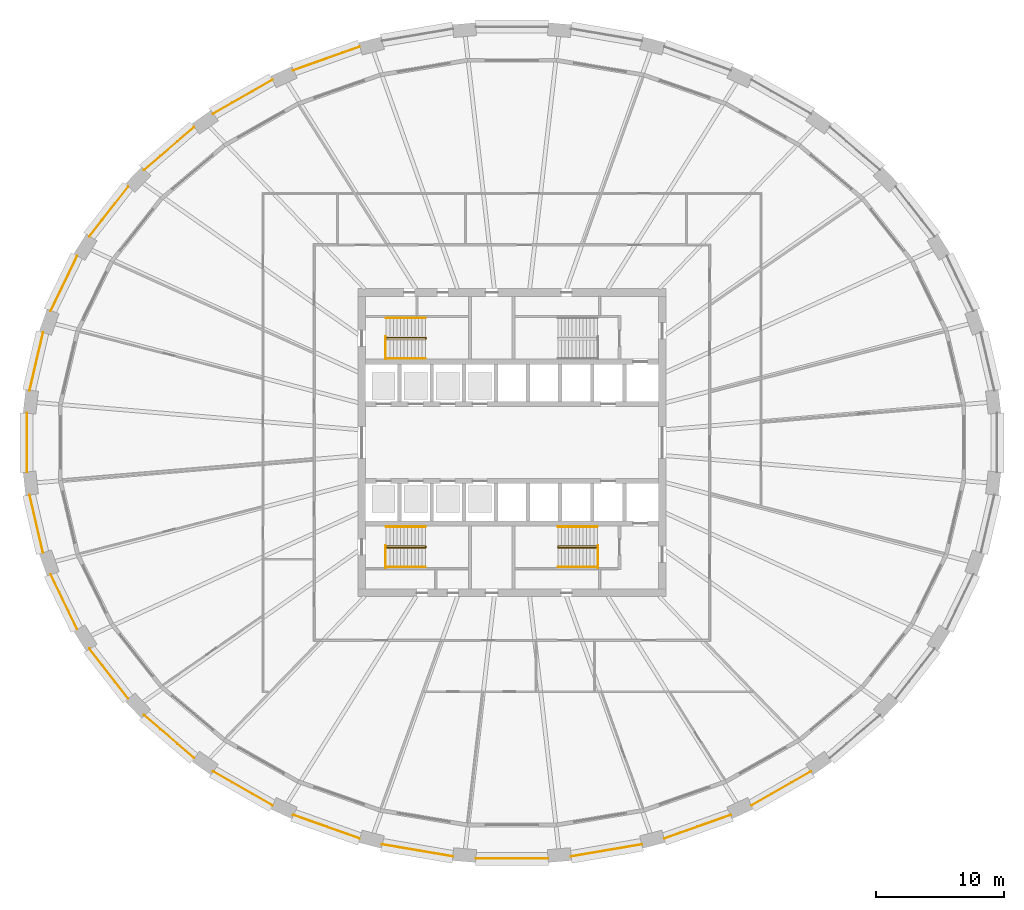
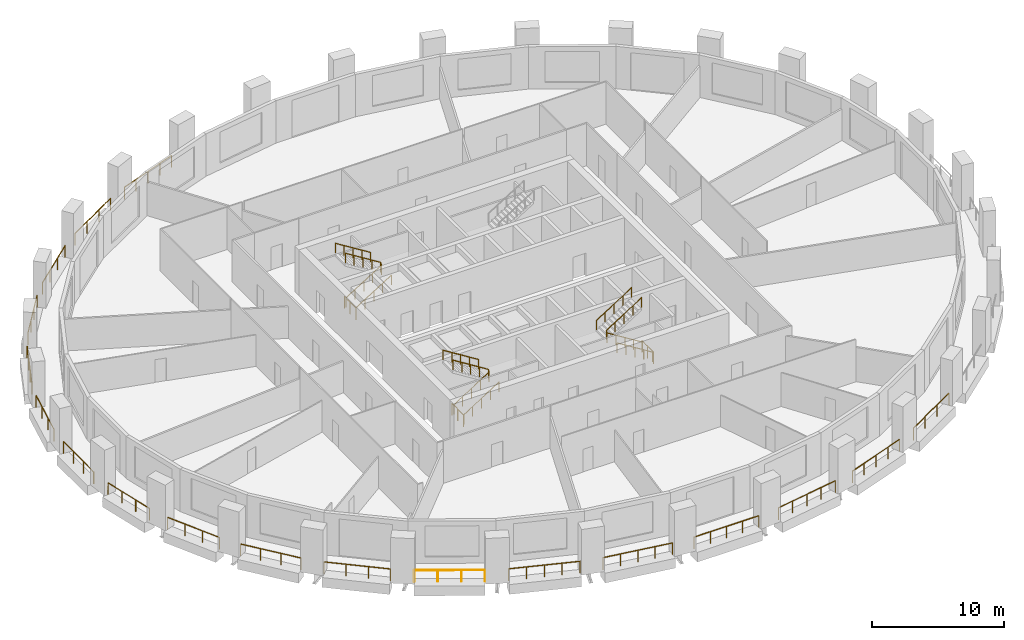
# One storey, part 10 of 12: 30 railings.
"""IFC4 building model written with IfcOpenShell, lengths in metres."""

import ifcopenshell
import ifcopenshell.guid

model = None  # the IFC model being written
_history = None  # IfcOwnerHistory: only IFC2X3 demands one
_inside = {}  # id of a spatial element -> (the spatial element, [elements in it])
_under = {}  # id of a project, library or spatial element -> (it, [spatial elements below it])
_declared = {}  # id of a project -> (the project, [libraries it declares])
_typed = {}  # id of a type object -> (the type object, [elements of that type])
_made_of = {}  # id of a material, layer set ... -> (it, [elements and type objects made of it])


def new_model(schema):
    """Start an empty IFC model of exactly this schema.

    Asked for "IFC4X3", IfcOpenShell would pick the latest addendum, in which some entities
    have other attributes; the version numbers below select the first issue.
    IFC2X3 requires an IfcOwnerHistory on every rooted entity: one is made here for all.
    """
    global model, _history
    if schema == "IFC4X3":
        model = ifcopenshell.file(schema_version=(4, 3, 0, 0))
    else:
        model = ifcopenshell.file(schema=schema)
    _inside.clear()
    _under.clear()
    _declared.clear()
    _typed.clear()
    _made_of.clear()
    _history = None
    if model.schema == "IFC2X3":
        org = make("IfcOrganization", Name="unknown")
        user = make(
            "IfcPersonAndOrganization",
            ThePerson=make("IfcPerson", FamilyName="unknown"),
            TheOrganization=org,
        )
        app = make(
            "IfcApplication",
            ApplicationDeveloper=org,
            Version="unknown",
            ApplicationFullName="unknown",
            ApplicationIdentifier="unknown",
        )
        _history = make(
            "IfcOwnerHistory",
            OwningUser=user,
            OwningApplication=app,
            ChangeAction="ADDED",
            CreationDate=0,
        )
    return model


def make(cls, **values):
    """One entity of the class cls with the attributes given. An attribute that is None is left unset."""
    return model.create_entity(
        cls, **{name: value for name, value in values.items() if value is not None}
    )


def rooted(cls, **values):
    """An entity with a GlobalId (a new one), such as an element, a storey or a relation."""
    return make(cls, GlobalId=ifcopenshell.guid.new(), OwnerHistory=_history, **values)


def si_unit(unit_type, name, prefix=None):
    """IfcSIUnit, for example si_unit("LENGTHUNIT", "METRE", prefix="MILLI")."""
    return make("IfcSIUnit", UnitType=unit_type, Prefix=prefix, Name=name)


def assignment(units):
    """IfcUnitAssignment: the units of a project."""
    return None if units is None else make("IfcUnitAssignment", Units=units)


def point(xyz):
    """IfcCartesianPoint."""
    return None if xyz is None else make("IfcCartesianPoint", Coordinates=xyz)


def direction(xyz):
    """IfcDirection."""
    return None if xyz is None else make("IfcDirection", DirectionRatios=xyz)


def frame(location, z_axis=None, x_axis=None):
    """IfcAxis2Placement3D, a coordinate frame: its origin and axes. An axis left out is left unset."""
    return make(
        "IfcAxis2Placement3D",
        Location=point(location),
        Axis=direction(z_axis),
        RefDirection=direction(x_axis),
    )


def frame_2d(location, x_axis=None):
    """IfcAxis2Placement2D, a coordinate frame in the plane: its origin and x axis."""
    return make(
        "IfcAxis2Placement2D", Location=point(location), RefDirection=direction(x_axis)
    )


def origin():
    """The frame at (0, 0, 0) with its axes left unset."""
    return frame((0.0, 0.0, 0.0))


def origin_2d():
    """The frame at (0, 0) in the plane with its x axis left unset."""
    return frame_2d((0.0, 0.0))


def place(relative_to, where):
    """IfcLocalPlacement: puts the frame where relative to a parent placement (None: the world)."""
    return make(
        "IfcLocalPlacement", PlacementRelTo=relative_to, RelativePlacement=where
    )


def context(
    kind, dimensions, precision=None, world=None, true_north=None, identifier=None
):
    """IfcGeometricRepresentationContext, for example the 3D "Model" context."""
    return make(
        "IfcGeometricRepresentationContext",
        ContextIdentifier=identifier,
        ContextType=kind,
        CoordinateSpaceDimension=dimensions,
        Precision=precision,
        WorldCoordinateSystem=world,
        TrueNorth=true_north,
    )


def subcontext(parent, identifier, kind, view, scale=None):
    """IfcGeometricRepresentationSubContext, for example "Body" below "Model"."""
    return make(
        "IfcGeometricRepresentationSubContext",
        ContextIdentifier=identifier,
        ContextType=kind,
        ParentContext=parent,
        TargetScale=scale,
        TargetView=view,
    )


def project(units=None, contexts=None):
    """IfcProject with its units and contexts."""
    return rooted(
        "IfcProject",
        Name="project",
        RepresentationContexts=contexts,
        UnitsInContext=assignment(units),
    )


def spatial(cls, under=None, at=None, **own):
    """A site, building, storey or space (cls), placed at a placement, below another one or the project."""
    s = rooted(cls, ObjectPlacement=at, **own)
    if under is not None:
        _under.setdefault(under.id(), (under, []))[1].append(s)
    return s


def profile(cls, at=None, kind="AREA", **sizes):
    """A parametric profile (cls). Its sizes go by their IFC names, for example OverallWidth=200.0."""
    return make(cls, ProfileType=kind, Position=at, **sizes)


def circle(**sizes):
    """IfcCircleProfileDef."""
    return profile("IfcCircleProfileDef", **sizes)


def extrude(swept, where, along, depth):
    """IfcExtrudedAreaSolid: the profile swept, set in the frame where, extruded along a direction by depth."""
    return make(
        "IfcExtrudedAreaSolid",
        SweptArea=swept,
        Position=where,
        ExtrudedDirection=direction(along),
        Depth=depth,
    )


def shape(context_of_items, identifier, shape_type, items):
    """IfcShapeRepresentation: the items that make up one representation, for example the "Body"."""
    return make(
        "IfcShapeRepresentation",
        ContextOfItems=context_of_items,
        RepresentationIdentifier=identifier,
        RepresentationType=shape_type,
        Items=items,
    )


def material(Name=None, Category=None):
    """IfcMaterial."""
    return make("IfcMaterial", Name=Name, Category=Category)


def made_of(thing, what):
    """Note that an element or type object is made of a material, layer set ...; save() writes the relation."""
    if what is not None:
        _made_of.setdefault(what.id(), (what, []))[1].append(thing)
    return thing


def type_object(cls, material=None, **own):
    """A type object (cls), such as IfcWallType, which elements share."""
    return made_of(rooted(cls, **own), material)


def element(
    cls,
    number,
    at=None,
    inside=None,
    cuts=None,
    type_object=None,
    material=None,
    context=None,
    identifier="Body",
    shape_type=None,
    held_by="IfcProductDefinitionShape",
    body=None,
    shapes=None,
    **own,
):
    """One element of the class cls, such as IfcWall. Its Tag is "e" and its number.

    at: its placement. inside: the storey or other place that contains it. cuts: it is an
    opening in that element (IfcRelVoidsElement). A single representation is given by context,
    identifier, shape_type and body (its items); several are given by shapes. held_by: the class
    of the entity that holds the representations. save() writes the other relations.
    """
    e = rooted(cls, Tag="e%d" % number, ObjectPlacement=at, **own)
    if body is not None:
        shapes = [shape(context, identifier, shape_type, body)]
    if shapes is not None:
        e.Representation = make(held_by, Representations=shapes)
    if inside is not None:
        _inside.setdefault(inside.id(), (inside, []))[1].append(e)
    if cuts is not None:
        rooted(
            "IfcRelVoidsElement", RelatingBuildingElement=cuts, RelatedOpeningElement=e
        )
    if type_object is not None:
        _typed.setdefault(type_object.id(), (type_object, []))[1].append(e)
    return made_of(e, material)


def aggregate(whole, parts):
    """IfcRelAggregates: a whole, such as a stair, and the parts it consists of."""
    return rooted("IfcRelAggregates", RelatingObject=whole, RelatedObjects=parts)


def save(model, path):
    """Write the relations noted so far, then the file.

    IfcRelAggregates (storeys below a building ...), IfcRelContainedInSpatialStructure (elements
    in a storey), IfcRelDefinesByType, IfcRelAssociatesMaterial and IfcRelDeclares: one each for
    every whole, place, type object, material and project.
    """
    for whole, parts in _under.values():
        aggregate(whole, parts)
    for where, things in _inside.values():
        rooted(
            "IfcRelContainedInSpatialStructure",
            RelatedElements=things,
            RelatingStructure=where,
        )
    for kind, things in _typed.values():
        rooted("IfcRelDefinesByType", RelatedObjects=things, RelatingType=kind)
    for what, things in _made_of.values():
        rooted("IfcRelAssociatesMaterial", RelatedObjects=things, RelatingMaterial=what)
    for by, libraries in _declared.values():
        rooted("IfcRelDeclares", RelatingContext=by, RelatedDefinitions=libraries)
    model.write(path)


model = new_model("IFC4")

# Units and contexts
model_context = context("Model", 3, precision=1e-05, world=origin(), true_north=direction((0.0, 1.0)))
body_context = subcontext(model_context, "Body", "Model", "MODEL_VIEW")
ifc_project = project(units=[si_unit("LENGTHUNIT", "METRE"), si_unit("AREAUNIT", "SQUARE_METRE"), si_unit("VOLUMEUNIT", "CUBIC_METRE"), si_unit("PLANEANGLEUNIT", "RADIAN"), si_unit("MASSUNIT", "GRAM", prefix="KILO")], contexts=[model_context])

# Site, building, storey
site_placement = place(None, origin())
site = spatial("IfcSite", under=ifc_project, at=site_placement, CompositionType="ELEMENT")
building_placement = place(site_placement, origin())
building = spatial("IfcBuilding", under=site, at=building_placement, Name="Halqa Exchange Tower", CompositionType="ELEMENT")
storey_placement = place(building_placement, frame((0.0, 0.0, 31.89990234375)))
storey = spatial("IfcBuildingStorey", under=building, at=storey_placement, Name="L06", CompositionType="ELEMENT", Elevation=31.89990234375)

# Railings
ifc_material = material(Name="Stainless steel", Category="steel")
railing_type_1 = type_object("IfcRailingType", Name="Guard 1100 stainless steel", PredefinedType="GUARDRAIL", material=ifc_material)
railing_1_placement = place(storey_placement, frame((-11.865966796875, 30.8310546875, 0.0)))
element("IfcRailing", 1, at=railing_1_placement, inside=storey, type_object=railing_type_1, Name="Loggia guard 10", PredefinedType="GUARDRAIL", context=body_context, shape_type="SweptSolid", body=[
    extrude(circle(Radius=0.02392578125, at=origin_2d()), frame((0.0, 0.0, 1.076171875), z_axis=(-0.942363581705, -0.334590615345, 0.0), x_axis=(0.334590615345, -0.942363581705, 0.0)), (0.0, 0.0, 1.0), 5.494384765625),
    extrude(circle(Radius=0.02099609375, at=origin_2d()), origin(), (0.0, 0.0, 1.0), 1.052001953125),
    extrude(circle(Radius=0.02099609375, at=origin_2d()), frame((-1.29443359375, -0.45947265625, 0.0)), (0.0, 0.0, 1.0), 1.052001953125),
    extrude(circle(Radius=0.02099609375, at=origin_2d()), frame((-2.5888671875, -0.919189453125, 0.0)), (0.0, 0.0, 1.0), 1.052001953125),
    extrude(circle(Radius=0.02099609375, at=origin_2d()), frame((-3.88330078125, -1.37890625, 0.0)), (0.0, 0.0, 1.0), 1.052001953125),
    extrude(circle(Radius=0.02099609375, at=origin_2d()), frame((-5.177734375, -1.83837890625, 0.0)), (0.0, 0.0, 1.0), 1.052001953125),
])
railing_2_placement = place(storey_placement, frame((-18.673095703125, 28.244140625, 0.0)))
element("IfcRailing", 2, at=railing_2_placement, inside=storey, type_object=railing_type_1, Name="Loggia guard 11", PredefinedType="GUARDRAIL", context=body_context, shape_type="SweptSolid", body=[
    extrude(circle(Radius=0.02392578125, at=origin_2d()), frame((0.0, 0.0, 1.076171875), z_axis=(-0.867769121882, -0.496967555389, 0.0), x_axis=(0.496967555389, -0.867769121882, 0.0)), (0.0, 0.0, 1.0), 5.3291015625),
    extrude(circle(Radius=0.02099609375, at=origin_2d()), origin(), (0.0, 0.0, 1.0), 1.052001953125),
    extrude(circle(Radius=0.02099609375, at=origin_2d()), frame((-1.54150390625, -0.8828125, 0.0)), (0.0, 0.0, 1.0), 1.052001953125),
    extrude(circle(Radius=0.02099609375, at=origin_2d()), frame((-3.0830078125, -1.765625, 0.0)), (0.0, 0.0, 1.0), 1.052001953125),
    extrude(circle(Radius=0.02099609375, at=origin_2d()), frame((-4.62451171875, -2.6484375, 0.0)), (0.0, 0.0, 1.0), 1.052001953125),
])
railing_3_placement = place(storey_placement, frame((-24.76171875, 24.5625, 0.0)))
element("IfcRailing", 3, at=railing_3_placement, inside=storey, type_object=railing_type_1, Name="Loggia guard 12", PredefinedType="GUARDRAIL", context=body_context, shape_type="SweptSolid", body=[
    extrude(circle(Radius=0.02392578125, at=origin_2d()), frame((0.0, 0.0, 1.076171875), z_axis=(-0.759280119309, -0.650763936019, 0.0), x_axis=(0.650763936019, -0.759280119309, 0.0)), (0.0, 0.0, 1.0), 5.129638671875),
    extrude(circle(Radius=0.02099609375, at=origin_2d()), origin(), (0.0, 0.0, 1.0), 1.052001953125),
    extrude(circle(Radius=0.02099609375, at=origin_2d()), frame((-1.29833984375, -1.11279296875, 0.0)), (0.0, 0.0, 1.0), 1.052001953125),
    extrude(circle(Radius=0.02099609375, at=origin_2d()), frame((-2.596435546875, -2.225341796875, 0.0)), (0.0, 0.0, 1.0), 1.052001953125),
    extrude(circle(Radius=0.02099609375, at=origin_2d()), frame((-3.894775390625, -3.338134765625, 0.0)), (0.0, 0.0, 1.0), 1.052001953125),
])
railing_4_placement = place(storey_placement, frame((-29.89306640625, 19.928955078125, 0.0)))
element("IfcRailing", 4, at=railing_4_placement, inside=storey, type_object=railing_type_1, Name="Loggia guard 13", PredefinedType="GUARDRAIL", context=body_context, shape_type="SweptSolid", body=[
    extrude(circle(Radius=0.02392578125, at=origin_2d()), frame((0.0, 0.0, 1.076171875), z_axis=(-0.614819052707, -0.788668201735, 0.0), x_axis=(0.788668201735, -0.614819052707, 0.0)), (0.0, 0.0, 1.0), 4.923583984375),
    extrude(circle(Radius=0.02099609375, at=origin_2d()), origin(), (0.0, 0.0, 1.0), 1.052001953125),
    extrude(circle(Radius=0.02099609375, at=origin_2d()), frame((-1.009033203125, -1.29443359375, 0.0)), (0.0, 0.0, 1.0), 1.052001953125),
    extrude(circle(Radius=0.02099609375, at=origin_2d()), frame((-2.01806640625, -2.588623046875, 0.0)), (0.0, 0.0, 1.0), 1.052001953125),
    extrude(circle(Radius=0.02099609375, at=origin_2d()), frame((-3.027099609375, -3.883056640625, 0.0)), (0.0, 0.0, 1.0), 1.052001953125),
])
railing_5_placement = place(storey_placement, frame((-33.864990234375, 14.525634765625, 0.0)))
element("IfcRailing", 5, at=railing_5_placement, inside=storey, type_object=railing_type_1, Name="Loggia guard 14", PredefinedType="GUARDRAIL", context=body_context, shape_type="SweptSolid", body=[
    extrude(circle(Radius=0.02392578125, at=origin_2d()), frame((0.0, 0.0, 1.076171875), z_axis=(-0.435110256582, -0.900377179085, 0.0), x_axis=(0.900377179085, -0.435110256582, 0.0)), (0.0, 0.0, 1.0), 4.744140625),
    extrude(circle(Radius=0.02099609375, at=origin_2d()), origin(), (0.0, 0.0, 1.0), 1.052001953125),
    extrude(circle(Radius=0.02099609375, at=origin_2d()), frame((-0.68798828125, -1.423828125, 0.0)), (0.0, 0.0, 1.0), 1.052001953125),
    extrude(circle(Radius=0.02099609375, at=origin_2d()), frame((-1.376220703125, -2.84765625, 0.0)), (0.0, 0.0, 1.0), 1.052001953125),
    extrude(circle(Radius=0.02099609375, at=origin_2d()), frame((-2.064208984375, -4.271484375, 0.0)), (0.0, 0.0, 1.0), 1.052001953125),
])
railing_6_placement = place(storey_placement, frame((-36.5244140625, 8.567138671875, 0.0)))
element("IfcRailing", 6, at=railing_6_placement, inside=storey, type_object=railing_type_1, Name="Loggia guard 15", PredefinedType="GUARDRAIL", context=body_context, shape_type="SweptSolid", body=[
    extrude(circle(Radius=0.02392578125, at=origin_2d()), frame((0.0, 0.0, 1.076171875), z_axis=(-0.226055410226, -0.974114444769, 0.0), x_axis=(0.974114444769, -0.226055410226, 0.0)), (0.0, 0.0, 1.0), 4.621337890625),
    extrude(circle(Radius=0.02099609375, at=origin_2d()), origin(), (0.0, 0.0, 1.0), 1.052001953125),
    extrude(circle(Radius=0.02099609375, at=origin_2d()), frame((-0.34814453125, -1.50048828125, 0.0)), (0.0, 0.0, 1.0), 1.052001953125),
    extrude(circle(Radius=0.02099609375, at=origin_2d()), frame((-0.696533203125, -3.001220703125, 0.0)), (0.0, 0.0, 1.0), 1.052001953125),
    extrude(circle(Radius=0.02099609375, at=origin_2d()), frame((-1.044677734375, -4.501708984375, 0.0)), (0.0, 0.0, 1.0), 1.052001953125),
])
railing_7_placement = place(storey_placement, frame((-37.7724609375, 2.288818359375, 0.0)))
element("IfcRailing", 7, at=railing_7_placement, inside=storey, type_object=railing_type_1, Name="Loggia guard 16", PredefinedType="GUARDRAIL", context=body_context, shape_type="SweptSolid", body=[
    extrude(circle(Radius=0.02392578125, at=origin_2d()), frame((0.0, 0.0, 1.076171875), z_axis=(0.0, -1.0, 0.0), x_axis=(1.0, 0.0, 0.0)), (0.0, 0.0, 1.0), 4.57763671875),
    extrude(circle(Radius=0.02099609375, at=origin_2d()), origin(), (0.0, 0.0, 1.0), 1.052001953125),
    extrude(circle(Radius=0.02099609375, at=origin_2d()), frame((0.0, -1.52587890625, 0.0)), (0.0, 0.0, 1.0), 1.052001953125),
    extrude(circle(Radius=0.02099609375, at=origin_2d()), frame((0.0, -3.0517578125, 0.0)), (0.0, 0.0, 1.0), 1.052001953125),
    extrude(circle(Radius=0.02099609375, at=origin_2d()), frame((0.0, -4.57763671875, 0.0)), (0.0, 0.0, 1.0), 1.052001953125),
])
railing_8_placement = place(storey_placement, frame((-37.569091796875, -4.0654296875, 0.0)))
element("IfcRailing", 8, at=railing_8_placement, inside=storey, type_object=railing_type_1, Name="Loggia guard 17", PredefinedType="GUARDRAIL", context=body_context, shape_type="SweptSolid", body=[
    extrude(circle(Radius=0.02392578125, at=origin_2d()), frame((0.0, 0.0, 1.076171875), z_axis=(0.226055410226, -0.974114444769, 0.0), x_axis=(0.974114444769, 0.226055410226, 0.0)), (0.0, 0.0, 1.0), 4.621337890625),
    extrude(circle(Radius=0.02099609375, at=origin_2d()), origin(), (0.0, 0.0, 1.0), 1.052001953125),
    extrude(circle(Radius=0.02099609375, at=origin_2d()), frame((0.34814453125, -1.50048828125, 0.0)), (0.0, 0.0, 1.0), 1.052001953125),
    extrude(circle(Radius=0.02099609375, at=origin_2d()), frame((0.696533203125, -3.001220703125, 0.0)), (0.0, 0.0, 1.0), 1.052001953125),
    extrude(circle(Radius=0.02099609375, at=origin_2d()), frame((1.044677734375, -4.501708984375, 0.0)), (0.0, 0.0, 1.0), 1.052001953125),
])
railing_9_placement = place(storey_placement, frame((-35.92919921875, -10.254150390625, 0.0)))
element("IfcRailing", 9, at=railing_9_placement, inside=storey, type_object=railing_type_1, Name="Loggia guard 18", PredefinedType="GUARDRAIL", context=body_context, shape_type="SweptSolid", body=[
    extrude(circle(Radius=0.02392578125, at=origin_2d()), frame((0.0, 0.0, 1.076171875), z_axis=(0.435110256582, -0.900377179085, 0.0), x_axis=(0.900377179085, 0.435110256582, 0.0)), (0.0, 0.0, 1.0), 4.744140625),
    extrude(circle(Radius=0.02099609375, at=origin_2d()), origin(), (0.0, 0.0, 1.0), 1.052001953125),
    extrude(circle(Radius=0.02099609375, at=origin_2d()), frame((0.68798828125, -1.423828125, 0.0)), (0.0, 0.0, 1.0), 1.052001953125),
    extrude(circle(Radius=0.02099609375, at=origin_2d()), frame((1.376220703125, -2.84765625, 0.0)), (0.0, 0.0, 1.0), 1.052001953125),
    extrude(circle(Radius=0.02099609375, at=origin_2d()), frame((2.064208984375, -4.271484375, 0.0)), (0.0, 0.0, 1.0), 1.052001953125),
])
railing_10_placement = place(storey_placement, frame((-32.920166015625, -16.0458984375, 0.0)))
element("IfcRailing", 10, at=railing_10_placement, inside=storey, type_object=railing_type_1, Name="Loggia guard 19", PredefinedType="GUARDRAIL", context=body_context, shape_type="SweptSolid", body=[
    extrude(circle(Radius=0.02392578125, at=origin_2d()), frame((0.0, 0.0, 1.076171875), z_axis=(0.614819052707, -0.788668201735, 0.0), x_axis=(0.788668201735, 0.614819052707, 0.0)), (0.0, 0.0, 1.0), 4.923583984375),
    extrude(circle(Radius=0.02099609375, at=origin_2d()), origin(), (0.0, 0.0, 1.0), 1.052001953125),
    extrude(circle(Radius=0.02099609375, at=origin_2d()), frame((1.009033203125, -1.29443359375, 0.0)), (0.0, 0.0, 1.0), 1.052001953125),
    extrude(circle(Radius=0.02099609375, at=origin_2d()), frame((2.01806640625, -2.588623046875, 0.0)), (0.0, 0.0, 1.0), 1.052001953125),
    extrude(circle(Radius=0.02099609375, at=origin_2d()), frame((3.027099609375, -3.883056640625, 0.0)), (0.0, 0.0, 1.0), 1.052001953125),
])
railing_11_placement = place(storey_placement, frame((-28.656494140625, -21.224365234375, 0.0)))
element("IfcRailing", 11, at=railing_11_placement, inside=storey, type_object=railing_type_1, Name="Loggia guard 20", PredefinedType="GUARDRAIL", context=body_context, shape_type="SweptSolid", body=[
    extrude(circle(Radius=0.02392578125, at=origin_2d()), frame((0.0, 0.0, 1.076171875), z_axis=(0.759280119309, -0.650763936019, 0.0), x_axis=(0.650763936019, 0.759280119309, 0.0)), (0.0, 0.0, 1.0), 5.129638671875),
    extrude(circle(Radius=0.02099609375, at=origin_2d()), origin(), (0.0, 0.0, 1.0), 1.052001953125),
    extrude(circle(Radius=0.02099609375, at=origin_2d()), frame((1.29833984375, -1.11279296875, 0.0)), (0.0, 0.0, 1.0), 1.052001953125),
    extrude(circle(Radius=0.02099609375, at=origin_2d()), frame((2.596435546875, -2.225341796875, 0.0)), (0.0, 0.0, 1.0), 1.052001953125),
    extrude(circle(Radius=0.02099609375, at=origin_2d()), frame((3.894775390625, -3.338134765625, 0.0)), (0.0, 0.0, 1.0), 1.052001953125),
])
railing_12_placement = place(storey_placement, frame((-23.297607421875, -25.595703125, 0.0)))
element("IfcRailing", 12, at=railing_12_placement, inside=storey, type_object=railing_type_1, Name="Loggia guard 21", PredefinedType="GUARDRAIL", context=body_context, shape_type="SweptSolid", body=[
    extrude(circle(Radius=0.02392578125, at=origin_2d()), frame((0.0, 0.0, 1.076171875), z_axis=(0.867769121882, -0.496967555389, 0.0), x_axis=(0.496967555389, 0.867769121882, 0.0)), (0.0, 0.0, 1.0), 5.3291015625),
    extrude(circle(Radius=0.02099609375, at=origin_2d()), origin(), (0.0, 0.0, 1.0), 1.052001953125),
    extrude(circle(Radius=0.02099609375, at=origin_2d()), frame((1.54150390625, -0.8828125, 0.0)), (0.0, 0.0, 1.0), 1.052001953125),
    extrude(circle(Radius=0.02099609375, at=origin_2d()), frame((3.0830078125, -1.765625, 0.0)), (0.0, 0.0, 1.0), 1.052001953125),
    extrude(circle(Radius=0.02099609375, at=origin_2d()), frame((4.62451171875, -2.6484375, 0.0)), (0.0, 0.0, 1.0), 1.052001953125),
])
railing_13_placement = place(storey_placement, frame((-17.043701171875, -28.99267578125, 0.0)))
element("IfcRailing", 13, at=railing_13_placement, inside=storey, type_object=railing_type_1, Name="Loggia guard 22", PredefinedType="GUARDRAIL", context=body_context, shape_type="SweptSolid", body=[
    extrude(circle(Radius=0.02392578125, at=origin_2d()), frame((0.0, 0.0, 1.076171875), z_axis=(0.942363581705, -0.334590615345, 0.0), x_axis=(0.334590615345, 0.942363581705, 0.0)), (0.0, 0.0, 1.0), 5.494384765625),
    extrude(circle(Radius=0.02099609375, at=origin_2d()), origin(), (0.0, 0.0, 1.0), 1.052001953125),
    extrude(circle(Radius=0.02099609375, at=origin_2d()), frame((1.29443359375, -0.45947265625, 0.0)), (0.0, 0.0, 1.0), 1.052001953125),
    extrude(circle(Radius=0.02099609375, at=origin_2d()), frame((2.5888671875, -0.919189453125, 0.0)), (0.0, 0.0, 1.0), 1.052001953125),
    extrude(circle(Radius=0.02099609375, at=origin_2d()), frame((3.88330078125, -1.37890625, 0.0)), (0.0, 0.0, 1.0), 1.052001953125),
    extrude(circle(Radius=0.02099609375, at=origin_2d()), frame((5.177734375, -1.83837890625, 0.0)), (0.0, 0.0, 1.0), 1.052001953125),
])
railing_14_placement = place(storey_placement, frame((-10.130615234375, -31.283447265625, 0.0)))
element("IfcRailing", 14, at=railing_14_placement, inside=storey, type_object=railing_type_1, Name="Loggia guard 23", PredefinedType="GUARDRAIL", context=body_context, shape_type="SweptSolid", body=[
    extrude(circle(Radius=0.02392578125, at=origin_2d()), frame((0.0, 0.0, 1.076171875), z_axis=(0.985775892081, -0.168065137946, 0.0), x_axis=(0.168065137946, 0.985775892081, 0.0)), (0.0, 0.0, 1.0), 5.602783203125),
    extrude(circle(Radius=0.02099609375, at=origin_2d()), origin(), (0.0, 0.0, 1.0), 1.052001953125),
    extrude(circle(Radius=0.02099609375, at=origin_2d()), frame((1.380859375, -0.2353515625, 0.0)), (0.0, 0.0, 1.0), 1.052001953125),
    extrude(circle(Radius=0.02099609375, at=origin_2d()), frame((2.76171875, -0.470703125, 0.0)), (0.0, 0.0, 1.0), 1.052001953125),
    extrude(circle(Radius=0.02099609375, at=origin_2d()), frame((4.142333984375, -0.706298828125, 0.0)), (0.0, 0.0, 1.0), 1.052001953125),
    extrude(circle(Radius=0.02099609375, at=origin_2d()), frame((5.523193359375, -0.941650390625, 0.0)), (0.0, 0.0, 1.0), 1.052001953125),
])
railing_15_placement = place(storey_placement, frame((-2.8203125, -32.37646484375, 0.0)))
element("IfcRailing", 15, at=railing_15_placement, inside=storey, type_object=railing_type_1, Name="Loggia guard 24", PredefinedType="GUARDRAIL", context=body_context, shape_type="SweptSolid", body=[
    extrude(circle(Radius=0.02392578125, at=origin_2d()), frame((0.0, 0.0, 1.076171875), z_axis=(1.0, 0.0, 0.0), x_axis=(0.0, 1.0, 0.0)), (0.0, 0.0, 1.0), 5.640625),
    extrude(circle(Radius=0.02099609375, at=origin_2d()), origin(), (0.0, 0.0, 1.0), 1.052001953125),
    extrude(circle(Radius=0.02099609375, at=origin_2d()), frame((1.41015625, 0.0, 0.0)), (0.0, 0.0, 1.0), 1.052001953125),
    extrude(circle(Radius=0.02099609375, at=origin_2d()), frame((2.8203125, 0.0, 0.0)), (0.0, 0.0, 1.0), 1.052001953125),
    extrude(circle(Radius=0.02099609375, at=origin_2d()), frame((4.23046875, 0.0, 0.0)), (0.0, 0.0, 1.0), 1.052001953125),
    extrude(circle(Radius=0.02099609375, at=origin_2d()), frame((5.640625, 0.0, 0.0)), (0.0, 0.0, 1.0), 1.052001953125),
])
railing_16_placement = place(storey_placement, frame((4.607421875, -32.22509765625, 0.0)))
element("IfcRailing", 16, at=railing_16_placement, inside=storey, type_object=railing_type_1, Name="Loggia guard 25", PredefinedType="GUARDRAIL", context=body_context, shape_type="SweptSolid", body=[
    extrude(circle(Radius=0.02392578125, at=origin_2d()), frame((0.0, 0.0, 1.076171875), z_axis=(0.985775892081, 0.168065137946, 0.0), x_axis=(-0.168065137946, 0.985775892081, 0.0)), (0.0, 0.0, 1.0), 5.602783203125),
    extrude(circle(Radius=0.02099609375, at=origin_2d()), origin(), (0.0, 0.0, 1.0), 1.052001953125),
    extrude(circle(Radius=0.02099609375, at=origin_2d()), frame((1.380859375, 0.2353515625, 0.0)), (0.0, 0.0, 1.0), 1.052001953125),
    extrude(circle(Radius=0.02099609375, at=origin_2d()), frame((2.76171875, 0.470703125, 0.0)), (0.0, 0.0, 1.0), 1.052001953125),
    extrude(circle(Radius=0.02099609375, at=origin_2d()), frame((4.142333984375, 0.706298828125, 0.0)), (0.0, 0.0, 1.0), 1.052001953125),
    extrude(circle(Radius=0.02099609375, at=origin_2d()), frame((5.523193359375, 0.941650390625, 0.0)), (0.0, 0.0, 1.0), 1.052001953125),
])
railing_17_placement = place(storey_placement, frame((11.865966796875, -30.8310546875, 0.0)))
element("IfcRailing", 17, at=railing_17_placement, inside=storey, type_object=railing_type_1, Name="Loggia guard 26", PredefinedType="GUARDRAIL", context=body_context, shape_type="SweptSolid", body=[
    extrude(circle(Radius=0.02392578125, at=origin_2d()), frame((0.0, 0.0, 1.076171875), z_axis=(0.942363581705, 0.334590615345, 0.0), x_axis=(-0.334590615345, 0.942363581705, 0.0)), (0.0, 0.0, 1.0), 5.494384765625),
    extrude(circle(Radius=0.02099609375, at=origin_2d()), origin(), (0.0, 0.0, 1.0), 1.052001953125),
    extrude(circle(Radius=0.02099609375, at=origin_2d()), frame((1.29443359375, 0.45947265625, 0.0)), (0.0, 0.0, 1.0), 1.052001953125),
    extrude(circle(Radius=0.02099609375, at=origin_2d()), frame((2.5888671875, 0.919189453125, 0.0)), (0.0, 0.0, 1.0), 1.052001953125),
    extrude(circle(Radius=0.02099609375, at=origin_2d()), frame((3.88330078125, 1.37890625, 0.0)), (0.0, 0.0, 1.0), 1.052001953125),
    extrude(circle(Radius=0.02099609375, at=origin_2d()), frame((5.177734375, 1.83837890625, 0.0)), (0.0, 0.0, 1.0), 1.052001953125),
])
railing_18_placement = place(storey_placement, frame((18.673095703125, -28.244140625, 0.0)))
element("IfcRailing", 18, at=railing_18_placement, inside=storey, type_object=railing_type_1, Name="Loggia guard 27", PredefinedType="GUARDRAIL", context=body_context, shape_type="SweptSolid", body=[
    extrude(circle(Radius=0.02392578125, at=origin_2d()), frame((0.0, 0.0, 1.076171875), z_axis=(0.867769121882, 0.496967555389, 0.0), x_axis=(-0.496967555389, 0.867769121882, 0.0)), (0.0, 0.0, 1.0), 5.3291015625),
    extrude(circle(Radius=0.02099609375, at=origin_2d()), origin(), (0.0, 0.0, 1.0), 1.052001953125),
    extrude(circle(Radius=0.02099609375, at=origin_2d()), frame((1.54150390625, 0.8828125, 0.0)), (0.0, 0.0, 1.0), 1.052001953125),
    extrude(circle(Radius=0.02099609375, at=origin_2d()), frame((3.0830078125, 1.765625, 0.0)), (0.0, 0.0, 1.0), 1.052001953125),
    extrude(circle(Radius=0.02099609375, at=origin_2d()), frame((4.62451171875, 2.6484375, 0.0)), (0.0, 0.0, 1.0), 1.052001953125),
])
railing_type_2 = type_object("IfcRailingType", Name="Stair handrail 900", PredefinedType="HANDRAIL", material=ifc_material)
railing_19_placement = place(storey_placement, frame((-9.800048828125, 8.06005859375, 0.175048828125)))
element("IfcRailing", 19, at=railing_19_placement, inside=storey, type_object=railing_type_2, Name="Handrail ST1.1", PredefinedType="HANDRAIL", context=body_context, shape_type="SweptSolid", body=[
    extrude(circle(Radius=0.02392578125, at=origin_2d()), frame((0.0, 0.0, 0.8759765625), z_axis=(0.847998304005, 0.0, 0.529998940003), x_axis=(0.0, 1.0, 0.0)), (0.0, 0.0, 1.0), 3.632080078125),
    extrude(circle(Radius=0.02392578125, at=origin_2d()), frame((3.080078125, 0.0, 2.80078125), z_axis=(0.0, 0.595870227118, 0.803080738428), x_axis=(-1.0, 0.0, 0.0)), (0.0, 0.0, 1.0), 0.218017578125),
    extrude(circle(Radius=0.02392578125, at=origin_2d()), frame((3.080078125, 0.1298828125, 2.97607421875), z_axis=(-0.847998304005, 0.0, 0.529998940003), x_axis=(0.0, -1.0, 0.0)), (0.0, 0.0, 1.0), 3.632080078125),
    extrude(circle(Radius=0.02099609375, at=origin_2d()), origin(), (0.0, 0.0, 1.0), 0.851806640625),
    extrude(circle(Radius=0.02099609375, at=origin_2d()), frame((0.77001953125, 0.0, 0.481201171875)), (0.0, 0.0, 1.0), 0.851806640625),
    extrude(circle(Radius=0.02099609375, at=origin_2d()), frame((1.5400390625, 0.0, 0.96240234375)), (0.0, 0.0, 1.0), 0.851806640625),
    extrude(circle(Radius=0.02099609375, at=origin_2d()), frame((2.31005859375, 0.0, 1.44384765625)), (0.0, 0.0, 1.0), 0.851806640625),
    extrude(circle(Radius=0.02099609375, at=origin_2d()), frame((3.080078125, 0.0, 1.925048828125)), (0.0, 0.0, 1.0), 0.851806640625),
    extrude(circle(Radius=0.02099609375, at=origin_2d()), frame((3.080078125, 0.1298828125, 2.10009765625)), (0.0, 0.0, 1.0), 0.851806640625),
    extrude(circle(Radius=0.02099609375, at=origin_2d()), frame((2.31005859375, 0.1298828125, 2.581298828125)), (0.0, 0.0, 1.0), 0.851806640625),
    extrude(circle(Radius=0.02099609375, at=origin_2d()), frame((1.5400390625, 0.1298828125, 3.0625)), (0.0, 0.0, 1.0), 0.851806640625),
    extrude(circle(Radius=0.02099609375, at=origin_2d()), frame((0.77001953125, 0.1298828125, 3.5439453125)), (0.0, 0.0, 1.0), 0.851806640625),
    extrude(circle(Radius=0.02099609375, at=origin_2d()), frame((0.0, 0.1298828125, 4.025146484375)), (0.0, 0.0, 1.0), 0.851806640625),
])
railing_20_placement = place(storey_placement, frame((-9.800048828125, 6.550048828125, 0.175048828125)))
element("IfcRailing", 20, at=railing_20_placement, inside=storey, type_object=railing_type_2, Name="Handrail ST1.2", PredefinedType="HANDRAIL", context=body_context, shape_type="SweptSolid", body=[
    extrude(circle(Radius=0.02392578125, at=origin_2d()), frame((0.0, 0.0, 0.8759765625), z_axis=(0.847998304005, 0.0, 0.529998940003), x_axis=(0.0, 1.0, 0.0)), (0.0, 0.0, 1.0), 3.632080078125),
    extrude(circle(Radius=0.02099609375, at=origin_2d()), origin(), (0.0, 0.0, 1.0), 0.851806640625),
    extrude(circle(Radius=0.02099609375, at=origin_2d()), frame((0.77001953125, 0.0, 0.481201171875)), (0.0, 0.0, 1.0), 0.851806640625),
    extrude(circle(Radius=0.02099609375, at=origin_2d()), frame((1.5400390625, 0.0, 0.96240234375)), (0.0, 0.0, 1.0), 0.851806640625),
    extrude(circle(Radius=0.02099609375, at=origin_2d()), frame((2.31005859375, 0.0, 1.44384765625)), (0.0, 0.0, 1.0), 0.851806640625),
    extrude(circle(Radius=0.02099609375, at=origin_2d()), frame((3.080078125, 0.0, 1.925048828125)), (0.0, 0.0, 1.0), 0.851806640625),
])
railing_21_placement = place(storey_placement, frame((-6.719970703125, 9.699951171875, 2.275146484375)))
element("IfcRailing", 21, at=railing_21_placement, inside=storey, type_object=railing_type_2, Name="Handrail ST1.3", PredefinedType="HANDRAIL", context=body_context, shape_type="SweptSolid", body=[
    extrude(circle(Radius=0.02392578125, at=origin_2d()), frame((0.0, 0.0, 0.8759765625), z_axis=(-0.847998304005, 0.0, 0.529998940003), x_axis=(0.0, -1.0, 0.0)), (0.0, 0.0, 1.0), 3.632080078125),
    extrude(circle(Radius=0.02099609375, at=origin_2d()), origin(), (0.0, 0.0, 1.0), 0.851806640625),
    extrude(circle(Radius=0.02099609375, at=origin_2d()), frame((-0.77001953125, 0.0, 0.481201171875)), (0.0, 0.0, 1.0), 0.851806640625),
    extrude(circle(Radius=0.02099609375, at=origin_2d()), frame((-1.5400390625, 0.0, 0.96240234375)), (0.0, 0.0, 1.0), 0.851806640625),
    extrude(circle(Radius=0.02099609375, at=origin_2d()), frame((-2.31005859375, 0.0, 1.44384765625)), (0.0, 0.0, 1.0), 0.851806640625),
    extrude(circle(Radius=0.02099609375, at=origin_2d()), frame((-3.080078125, 0.0, 1.925048828125)), (0.0, 0.0, 1.0), 0.851806640625),
])
railing_22_placement = place(storey_placement, frame((-9.800048828125, -8.18994140625, 0.175048828125)))
element("IfcRailing", 22, at=railing_22_placement, inside=storey, type_object=railing_type_2, Name="Handrail ST3.1", PredefinedType="HANDRAIL", context=body_context, shape_type="SweptSolid", body=[
    extrude(circle(Radius=0.02392578125, at=origin_2d()), frame((0.0, 0.0, 0.8759765625), z_axis=(0.847998304005, 0.0, 0.529998940003), x_axis=(0.0, 1.0, 0.0)), (0.0, 0.0, 1.0), 3.632080078125),
    extrude(circle(Radius=0.02392578125, at=origin_2d()), frame((3.080078125, 0.0, 2.80078125), z_axis=(0.0, 0.595870227118, 0.803080738428), x_axis=(-1.0, 0.0, 0.0)), (0.0, 0.0, 1.0), 0.218017578125),
    extrude(circle(Radius=0.02392578125, at=origin_2d()), frame((3.080078125, 0.1298828125, 2.97607421875), z_axis=(-0.847998304005, 0.0, 0.529998940003), x_axis=(0.0, -1.0, 0.0)), (0.0, 0.0, 1.0), 3.632080078125),
    extrude(circle(Radius=0.02099609375, at=origin_2d()), origin(), (0.0, 0.0, 1.0), 0.851806640625),
    extrude(circle(Radius=0.02099609375, at=origin_2d()), frame((0.77001953125, 0.0, 0.481201171875)), (0.0, 0.0, 1.0), 0.851806640625),
    extrude(circle(Radius=0.02099609375, at=origin_2d()), frame((1.5400390625, 0.0, 0.96240234375)), (0.0, 0.0, 1.0), 0.851806640625),
    extrude(circle(Radius=0.02099609375, at=origin_2d()), frame((2.31005859375, 0.0, 1.44384765625)), (0.0, 0.0, 1.0), 0.851806640625),
    extrude(circle(Radius=0.02099609375, at=origin_2d()), frame((3.080078125, 0.0, 1.925048828125)), (0.0, 0.0, 1.0), 0.851806640625),
    extrude(circle(Radius=0.02099609375, at=origin_2d()), frame((3.080078125, 0.1298828125, 2.10009765625)), (0.0, 0.0, 1.0), 0.851806640625),
    extrude(circle(Radius=0.02099609375, at=origin_2d()), frame((2.31005859375, 0.1298828125, 2.581298828125)), (0.0, 0.0, 1.0), 0.851806640625),
    extrude(circle(Radius=0.02099609375, at=origin_2d()), frame((1.5400390625, 0.1298828125, 3.0625)), (0.0, 0.0, 1.0), 0.851806640625),
    extrude(circle(Radius=0.02099609375, at=origin_2d()), frame((0.77001953125, 0.1298828125, 3.5439453125)), (0.0, 0.0, 1.0), 0.851806640625),
    extrude(circle(Radius=0.02099609375, at=origin_2d()), frame((0.0, 0.1298828125, 4.025146484375)), (0.0, 0.0, 1.0), 0.851806640625),
])
railing_23_placement = place(storey_placement, frame((-9.800048828125, -9.699951171875, 0.175048828125)))
element("IfcRailing", 23, at=railing_23_placement, inside=storey, type_object=railing_type_2, Name="Handrail ST3.2", PredefinedType="HANDRAIL", context=body_context, shape_type="SweptSolid", body=[
    extrude(circle(Radius=0.02392578125, at=origin_2d()), frame((0.0, 0.0, 0.8759765625), z_axis=(0.847998304005, 0.0, 0.529998940003), x_axis=(0.0, 1.0, 0.0)), (0.0, 0.0, 1.0), 3.632080078125),
    extrude(circle(Radius=0.02099609375, at=origin_2d()), origin(), (0.0, 0.0, 1.0), 0.851806640625),
    extrude(circle(Radius=0.02099609375, at=origin_2d()), frame((0.77001953125, 0.0, 0.481201171875)), (0.0, 0.0, 1.0), 0.851806640625),
    extrude(circle(Radius=0.02099609375, at=origin_2d()), frame((1.5400390625, 0.0, 0.96240234375)), (0.0, 0.0, 1.0), 0.851806640625),
    extrude(circle(Radius=0.02099609375, at=origin_2d()), frame((2.31005859375, 0.0, 1.44384765625)), (0.0, 0.0, 1.0), 0.851806640625),
    extrude(circle(Radius=0.02099609375, at=origin_2d()), frame((3.080078125, 0.0, 1.925048828125)), (0.0, 0.0, 1.0), 0.851806640625),
])
railing_24_placement = place(storey_placement, frame((-6.719970703125, -6.550048828125, 2.275146484375)))
element("IfcRailing", 24, at=railing_24_placement, inside=storey, type_object=railing_type_2, Name="Handrail ST3.3", PredefinedType="HANDRAIL", context=body_context, shape_type="SweptSolid", body=[
    extrude(circle(Radius=0.02392578125, at=origin_2d()), frame((0.0, 0.0, 0.8759765625), z_axis=(-0.847998304005, 0.0, 0.529998940003), x_axis=(0.0, -1.0, 0.0)), (0.0, 0.0, 1.0), 3.632080078125),
    extrude(circle(Radius=0.02099609375, at=origin_2d()), origin(), (0.0, 0.0, 1.0), 0.851806640625),
    extrude(circle(Radius=0.02099609375, at=origin_2d()), frame((-0.77001953125, 0.0, 0.481201171875)), (0.0, 0.0, 1.0), 0.851806640625),
    extrude(circle(Radius=0.02099609375, at=origin_2d()), frame((-1.5400390625, 0.0, 0.96240234375)), (0.0, 0.0, 1.0), 0.851806640625),
    extrude(circle(Radius=0.02099609375, at=origin_2d()), frame((-2.31005859375, 0.0, 1.44384765625)), (0.0, 0.0, 1.0), 0.851806640625),
    extrude(circle(Radius=0.02099609375, at=origin_2d()), frame((-3.080078125, 0.0, 1.925048828125)), (0.0, 0.0, 1.0), 0.851806640625),
])
railing_25_placement = place(storey_placement, frame((6.64990234375, -8.18994140625, 0.175048828125)))
element("IfcRailing", 25, at=railing_25_placement, inside=storey, type_object=railing_type_2, Name="Handrail ST4.1", PredefinedType="HANDRAIL", context=body_context, shape_type="SweptSolid", body=[
    extrude(circle(Radius=0.02392578125, at=origin_2d()), frame((0.0, 0.0, 0.8759765625), z_axis=(-0.847979421464, 0.0, 0.530029150871), x_axis=(0.0, -1.0, 0.0)), (0.0, 0.0, 1.0), 3.632080078125),
    extrude(circle(Radius=0.02392578125, at=origin_2d()), frame((-3.079833984375, 0.0, 2.80078125), z_axis=(0.0, 0.595870227118, 0.803080738428), x_axis=(-1.0, 0.0, 0.0)), (0.0, 0.0, 1.0), 0.218017578125),
    extrude(circle(Radius=0.02392578125, at=origin_2d()), frame((-3.079833984375, 0.1298828125, 2.97607421875), z_axis=(0.847979421464, 0.0, 0.530029150871), x_axis=(0.0, 1.0, 0.0)), (0.0, 0.0, 1.0), 3.632080078125),
    extrude(circle(Radius=0.02099609375, at=origin_2d()), origin(), (0.0, 0.0, 1.0), 0.851806640625),
    extrude(circle(Radius=0.02099609375, at=origin_2d()), frame((-0.77001953125, 0.0, 0.481201171875)), (0.0, 0.0, 1.0), 0.851806640625),
    extrude(circle(Radius=0.02099609375, at=origin_2d()), frame((-1.5400390625, 0.0, 0.96240234375)), (0.0, 0.0, 1.0), 0.851806640625),
    extrude(circle(Radius=0.02099609375, at=origin_2d()), frame((-2.309814453125, 0.0, 1.44384765625)), (0.0, 0.0, 1.0), 0.851806640625),
    extrude(circle(Radius=0.02099609375, at=origin_2d()), frame((-3.079833984375, 0.0, 1.925048828125)), (0.0, 0.0, 1.0), 0.851806640625),
    extrude(circle(Radius=0.02099609375, at=origin_2d()), frame((-3.079833984375, 0.1298828125, 2.10009765625)), (0.0, 0.0, 1.0), 0.851806640625),
    extrude(circle(Radius=0.02099609375, at=origin_2d()), frame((-2.309814453125, 0.1298828125, 2.581298828125)), (0.0, 0.0, 1.0), 0.851806640625),
    extrude(circle(Radius=0.02099609375, at=origin_2d()), frame((-1.5400390625, 0.1298828125, 3.0625)), (0.0, 0.0, 1.0), 0.851806640625),
    extrude(circle(Radius=0.02099609375, at=origin_2d()), frame((-0.77001953125, 0.1298828125, 3.5439453125)), (0.0, 0.0, 1.0), 0.851806640625),
    extrude(circle(Radius=0.02099609375, at=origin_2d()), frame((0.0, 0.1298828125, 4.025146484375)), (0.0, 0.0, 1.0), 0.851806640625),
])
railing_26_placement = place(storey_placement, frame((6.64990234375, -9.699951171875, 0.175048828125)))
element("IfcRailing", 26, at=railing_26_placement, inside=storey, type_object=railing_type_2, Name="Handrail ST4.2", PredefinedType="HANDRAIL", context=body_context, shape_type="SweptSolid", body=[
    extrude(circle(Radius=0.02392578125, at=origin_2d()), frame((0.0, 0.0, 0.8759765625), z_axis=(-0.847979421464, 0.0, 0.530029150871), x_axis=(0.0, -1.0, 0.0)), (0.0, 0.0, 1.0), 3.632080078125),
    extrude(circle(Radius=0.02099609375, at=origin_2d()), origin(), (0.0, 0.0, 1.0), 0.851806640625),
    extrude(circle(Radius=0.02099609375, at=origin_2d()), frame((-0.77001953125, 0.0, 0.481201171875)), (0.0, 0.0, 1.0), 0.851806640625),
    extrude(circle(Radius=0.02099609375, at=origin_2d()), frame((-1.5400390625, 0.0, 0.96240234375)), (0.0, 0.0, 1.0), 0.851806640625),
    extrude(circle(Radius=0.02099609375, at=origin_2d()), frame((-2.309814453125, 0.0, 1.44384765625)), (0.0, 0.0, 1.0), 0.851806640625),
    extrude(circle(Radius=0.02099609375, at=origin_2d()), frame((-3.079833984375, 0.0, 1.925048828125)), (0.0, 0.0, 1.0), 0.851806640625),
])
railing_27_placement = place(storey_placement, frame((3.570068359375, -6.550048828125, 2.275146484375)))
element("IfcRailing", 27, at=railing_27_placement, inside=storey, type_object=railing_type_2, Name="Handrail ST4.3", PredefinedType="HANDRAIL", context=body_context, shape_type="SweptSolid", body=[
    extrude(circle(Radius=0.02392578125, at=origin_2d()), frame((0.0, 0.0, 0.8759765625), z_axis=(0.847979421464, 0.0, 0.530029150871), x_axis=(0.0, 1.0, 0.0)), (0.0, 0.0, 1.0), 3.632080078125),
    extrude(circle(Radius=0.02099609375, at=origin_2d()), origin(), (0.0, 0.0, 1.0), 0.851806640625),
    extrude(circle(Radius=0.02099609375, at=origin_2d()), frame((0.77001953125, 0.0, 0.481201171875)), (0.0, 0.0, 1.0), 0.851806640625),
    extrude(circle(Radius=0.02099609375, at=origin_2d()), frame((1.5400390625, 0.0, 0.96240234375)), (0.0, 0.0, 1.0), 0.851806640625),
    extrude(circle(Radius=0.02099609375, at=origin_2d()), frame((2.309814453125, 0.0, 1.44384765625)), (0.0, 0.0, 1.0), 0.851806640625),
    extrude(circle(Radius=0.02099609375, at=origin_2d()), frame((3.079833984375, 0.0, 1.925048828125)), (0.0, 0.0, 1.0), 0.851806640625),
])
railing_type_3 = type_object("IfcRailingType", Name="Stair well guard 1100", PredefinedType="GUARDRAIL", material=ifc_material)
for number, where, name in (
    (28, (-9.85009765625, 6.5, 0.0), "Guard ST1 well"),
    (29, (-9.85009765625, -9.75, 0.0), "Guard ST3 well"),
    (30, (6.699951171875, -9.75, 0.0), "Guard ST4 well"),
):
    element("IfcRailing", number, at=place(storey_placement, frame(where)), inside=storey, type_object=railing_type_3, Name=name, PredefinedType="GUARDRAIL", context=body_context, shape_type="SweptSolid", body=[
        extrude(circle(Radius=0.02392578125, at=origin_2d()), frame((0.0, 0.0, 1.076171875), z_axis=(0.0, 1.0, 0.0), x_axis=(-1.0, 0.0, 0.0)), (0.0, 0.0, 1.0), 1.75),
        extrude(circle(Radius=0.02099609375, at=origin_2d()), origin(), (0.0, 0.0, 1.0), 1.052001953125),
        extrude(circle(Radius=0.02099609375, at=origin_2d()), frame((0.0, 0.875, 0.0)), (0.0, 0.0, 1.0), 1.052001953125),
        extrude(circle(Radius=0.02099609375, at=origin_2d()), frame((0.0, 1.75, 0.0)), (0.0, 0.0, 1.0), 1.052001953125),
    ])

save(model, "model.ifc")
